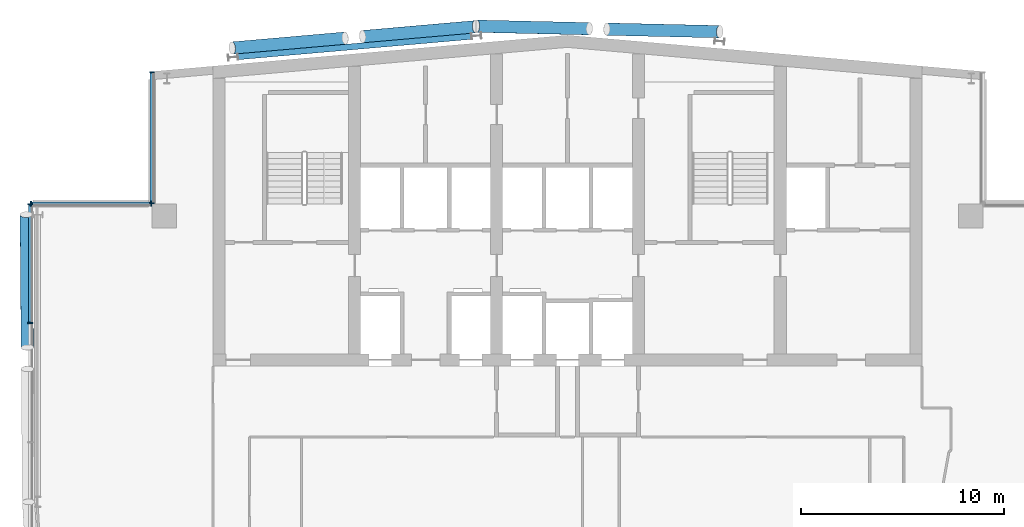
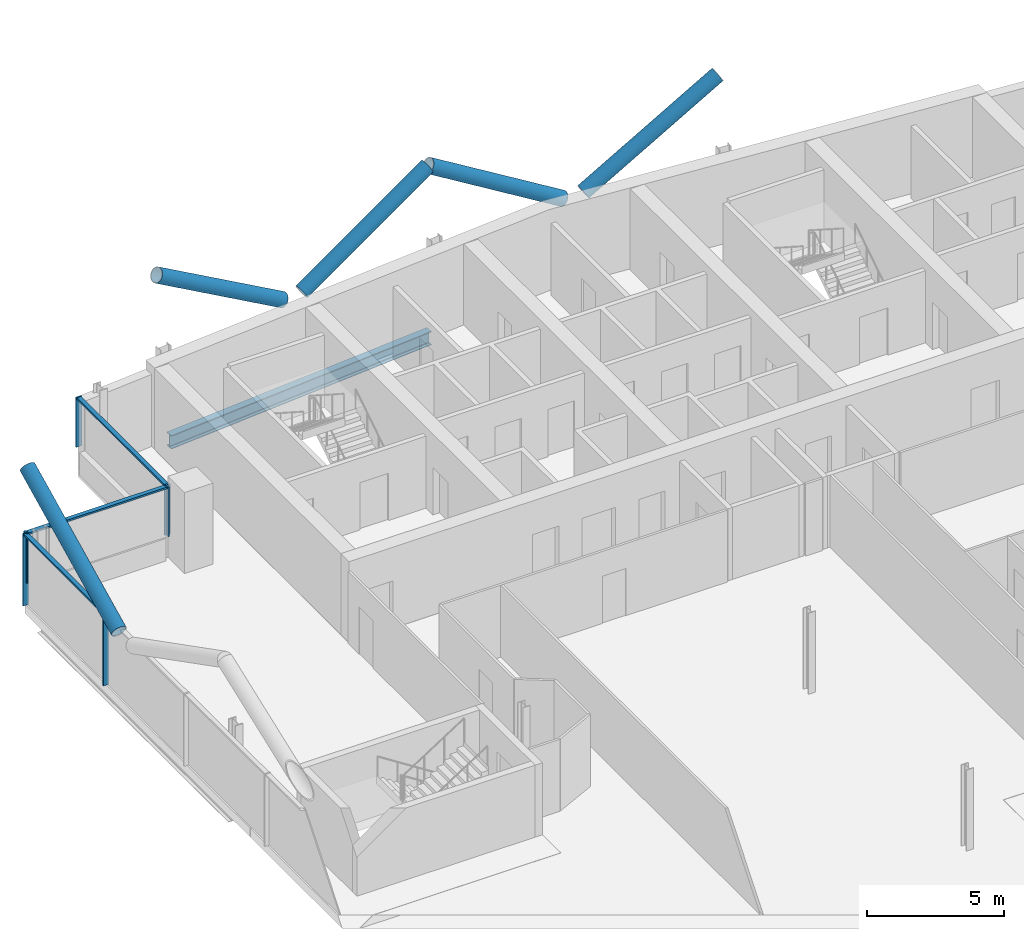
# One storey, part 10 of 26: 14 members, 1 beam, 3 elements without a shape of their own.
"""IFC4 building model written with IfcOpenShell, lengths in metres."""

from ifc_helpers import new_model, si_unit, direction, frame, origin, origin_2d, place, context, subcontext, project, spatial, rectangle, hollow_circle, i_section, extrude, material, material_profile, profile_set, type_object, element, aggregate, save


model = new_model("IFC4")

# Units and contexts
model_context = context("Model", 3, precision=1e-05, world=origin(), true_north=direction((0.0, 1.0)))
body_context = subcontext(model_context, "Body", "Model", "MODEL_VIEW")
ifc_project = project(units=[si_unit("LENGTHUNIT", "METRE"), si_unit("AREAUNIT", "SQUARE_METRE"), si_unit("VOLUMEUNIT", "CUBIC_METRE"), si_unit("PLANEANGLEUNIT", "RADIAN"), si_unit("MASSUNIT", "GRAM", prefix="KILO")], contexts=[model_context])

# Site, building, storey
site_placement = place(None, origin())
site = spatial("IfcSite", under=ifc_project, at=site_placement, CompositionType="ELEMENT")
building_placement = place(site_placement, origin())
building = spatial("IfcBuilding", under=site, at=building_placement, Name="Wharfspan Tower", CompositionType="ELEMENT")
storey_placement = place(building_placement, frame((0.0, 0.0, 235.899902)))
storey = spatial("IfcBuildingStorey", under=building, at=storey_placement, Name="L59", CompositionType="ELEMENT", Elevation=235.899902)

# Beam
ifc_material_1 = material(Name="Steel S355J2", Category="steel")
ifc_material_profile_1 = material_profile(ifc_material_1, i_section(OverallWidth=0.300049, OverallDepth=0.600098, WebThickness=0.015381, FlangeThickness=0.030029, FilletRadius=0.0271, at=origin_2d()))
ifc_profile_set_1 = profile_set([ifc_material_profile_1], Name="Steel S355J2")
beam_type = type_object("IfcBeamType", Name="Edge beam HEB 600", PredefinedType="SPANDREL", material=ifc_profile_set_1)
beam_placement = place(storey_placement, frame((35.754883, 50.263428, -0.699951), z_axis=(-0.996194, -0.087165, 0.0), x_axis=(0.087165, -0.996194, 0.0)))
element("IfcBeam", 1, at=beam_placement, inside=storey, type_object=beam_type, Name="Edge beam N1 L59 R.2 to R.1", PredefinedType="SPANDREL", context=body_context, shape_type="SweptSolid", body=[
    extrude(i_section(OverallWidth=0.300049, OverallDepth=0.600098, WebThickness=0.015381, FlangeThickness=0.030029, FilletRadius=0.0271, at=origin_2d()), origin(), (0.0, 0.0, 1.0), 11.553711),
])

# Curtain wall, members
ifc_material_2 = material(Name="Aluminium 6063-T6", Category="aluminium")
curtain_wall_type = type_object("IfcCurtainWallType", Name="CURTAIN WALL PROW AND END", PredefinedType="NOTDEFINED", material=ifc_material_2)
curtain_wall_1_placement = place(storey_placement, origin())
curtain_wall_1 = element("IfcCurtainWall", 2, at=curtain_wall_1_placement, inside=storey, type_object=curtain_wall_type, Name="Curtain wall NRW-V", PredefinedType="NOTDEFINED")
ifc_material_profile_2 = material_profile(ifc_material_2, rectangle(XDim=0.23999, YDim=0.060059, at=origin_2d()))
ifc_profile_set_2 = profile_set([ifc_material_profile_2], Name="Aluminium 6063-T6")
member_type_1 = type_object("IfcMemberType", Name="MULLION PROW AND END 60x240", PredefinedType="MULLION", material=ifc_profile_set_2)
member_1_placement = place(storey_placement, frame((20.0, 48.494873, 1.0), z_axis=(0.0, 0.0, 1.0), x_axis=(1.0, 0.0, 0.0)))
member_1 = element("IfcMember", 3, at=member_1_placement, type_object=member_type_1, Name="Curtain wall NRW-V mullion 1", PredefinedType="MULLION", context=body_context, shape_type="SweptSolid", body=[
    extrude(rectangle(XDim=0.23999, YDim=0.060059, at=origin_2d()), origin(), (0.0, 0.0, 1.0), 2.200195),
])
member_2_placement = place(storey_placement, frame((20.0, 42.030029, 1.0), z_axis=(0.0, 0.0, 1.0), x_axis=(1.0, 0.0, 0.0)))
member_2 = element("IfcMember", 4, at=member_2_placement, type_object=member_type_1, Name="Curtain wall NRW-V mullion 2", PredefinedType="MULLION", context=body_context, shape_type="SweptSolid", body=[
    extrude(rectangle(XDim=0.23999, YDim=0.060059, at=origin_2d()), origin(), (0.0, 0.0, 1.0), 2.200195),
])

curtain_wall_2_placement = place(storey_placement, origin())
curtain_wall_2 = element("IfcCurtainWall", 5, at=curtain_wall_2_placement, inside=storey, type_object=curtain_wall_type, Name="Curtain wall NRW-H", PredefinedType="NOTDEFINED")
member_3_placement = place(storey_placement, frame((19.969971, 42.0, 1.0), z_axis=(0.0, 0.0, 1.0), x_axis=(0.0, -1.0, 0.0)))
member_3 = element("IfcMember", 6, at=member_3_placement, type_object=member_type_1, Name="Curtain wall NRW-H mullion 1", PredefinedType="MULLION", context=body_context, shape_type="SweptSolid", body=[
    extrude(rectangle(XDim=0.23999, YDim=0.060059, at=origin_2d()), origin(), (0.0, 0.0, 1.0), 2.200195),
])
member_4_placement = place(storey_placement, frame((14.030029, 42.0, 1.0), z_axis=(0.0, 0.0, 1.0), x_axis=(0.0, -1.0, 0.0)))
member_4 = element("IfcMember", 7, at=member_4_placement, type_object=member_type_1, Name="Curtain wall NRW-H mullion 2", PredefinedType="MULLION", context=body_context, shape_type="SweptSolid", body=[
    extrude(rectangle(XDim=0.23999, YDim=0.060059, at=origin_2d()), origin(), (0.0, 0.0, 1.0), 2.200195),
])

curtain_wall_3_placement = place(storey_placement, origin())
curtain_wall_3 = element("IfcCurtainWall", 8, at=curtain_wall_3_placement, inside=storey, type_object=curtain_wall_type, Name="Curtain wall W", PredefinedType="NOTDEFINED")
member_5_placement = place(storey_placement, frame((14.0, 41.969971, 0.0), z_axis=(0.0, 0.0, 1.0), x_axis=(1.0, 0.0, 0.0)))
member_5 = element("IfcMember", 9, at=member_5_placement, type_object=member_type_1, Name="Curtain wall W mullion 1", PredefinedType="MULLION", context=body_context, shape_type="SweptSolid", body=[
    extrude(rectangle(XDim=0.23999, YDim=0.060059, at=origin_2d()), origin(), (0.0, 0.0, 1.0), 3.200195),
])
member_6_placement = place(storey_placement, frame((14.0, 36.120117, 0.0), z_axis=(0.0, 0.0, 1.0), x_axis=(1.0, 0.0, 0.0)))
member_6 = element("IfcMember", 10, at=member_6_placement, type_object=member_type_1, Name="Curtain wall W mullion 2", PredefinedType="MULLION", context=body_context, shape_type="SweptSolid", body=[
    extrude(rectangle(XDim=0.23999, YDim=0.060059, at=origin_2d()), origin(), (0.0, 0.0, 1.0), 3.200195),
])

# Members
ifc_material_3 = material(Name="Steel S460NH", Category="steel")
ifc_material_profile_3 = material_profile(ifc_material_3, hollow_circle(Radius=0.304932, WallThickness=0.024902, at=origin_2d()))
ifc_profile_set_3 = profile_set([ifc_material_profile_3], Name="Steel S460NH")
member_type_2 = type_object("IfcMemberType", Name="Mega brace CHS 610x25", PredefinedType="BRACE", material=ifc_profile_set_3)
member_7_placement = place(storey_placement, frame((13.844727, 34.910645, 3.169922), z_axis=(-0.007044, 0.891361, 0.45324), x_axis=(-0.999973, -0.007904, 3e-06)))
element("IfcMember", 11, at=member_7_placement, inside=storey, type_object=member_type_2, Name="Mega brace W3 L59 part 4", PredefinedType="BRACE", context=body_context, shape_type="SweptSolid", body=[
    extrude(hollow_circle(Radius=0.304932, WallThickness=0.024902, at=origin_2d()), origin(), (0.0, 0.0, 1.0), 7.347168),
])
member_8_placement = place(storey_placement, frame((30.393555, 50.248047, 3.159912), z_axis=(0.855103, 0.074812, 0.513032), x_axis=(-0.087157, 0.996193, 2e-06)))
element("IfcMember", 12, at=member_8_placement, inside=storey, type_object=member_type_2, Name="Mega brace N7 L59 part 2", PredefinedType="BRACE", context=body_context, shape_type="SweptSolid", body=[
    extrude(hollow_circle(Radius=0.304932, WallThickness=0.024902, at=origin_2d()), origin(), (0.0, 0.0, 1.0), 6.510498),
])
member_9_placement = place(storey_placement, frame((29.527588, 50.172119, 3.159912), z_axis=(-0.855093, -0.074814, 0.513048), x_axis=(0.087159, -0.996198, -1e-06)))
element("IfcMember", 13, at=member_9_placement, inside=storey, type_object=member_type_2, Name="Mega brace N7 L59 part 4", PredefinedType="BRACE", context=body_context, shape_type="SweptSolid", body=[
    extrude(hollow_circle(Radius=0.304932, WallThickness=0.024902, at=origin_2d()), origin(), (0.0, 0.0, 1.0), 6.510254),
])
for number, where, z_axis, x_axis, name in (
    (14, (42.442871, 50.616699, 3.159668), (0.857337, -0.019475, 0.514387), (0.022711, 0.999741, -2e-06), "Mega brace N8 L59 part 2"),
    (15, (41.577881, 50.636475, 3.159668), (-0.857337, 0.019475, 0.514387), (-0.022711, -0.999741, -2e-06), "Mega brace N8 L59 part 4"),
):
    element("IfcMember", number, at=place(storey_placement, frame(where, z_axis=z_axis, x_axis=x_axis)), inside=storey, type_object=member_type_2, Name=name, PredefinedType="BRACE", context=body_context, shape_type="SweptSolid", body=[
        extrude(hollow_circle(Radius=0.304932, WallThickness=0.024902, at=origin_2d()), origin(), (0.0, 0.0, 1.0), 6.493896),
    ])

# Member
ifc_material_profile_4 = material_profile(ifc_material_2, rectangle(XDim=0.179932, YDim=0.080078, at=origin_2d()))
ifc_profile_set_4 = profile_set([ifc_material_profile_4], Name="Aluminium 6063-T6")
member_type_3 = type_object("IfcMemberType", Name="TRANSOM PROW AND END 80x180", PredefinedType="USERDEFINED", material=ifc_profile_set_4)
member_10_placement = place(storey_placement, frame((20.0, 48.464844, 3.160156), z_axis=(0.0, -1.0, 0.0), x_axis=(1.0, 0.0, 0.0)))
member_10 = element("IfcMember", 16, at=member_10_placement, type_object=member_type_3, Name="Curtain wall NRW-V transom 1", ObjectType="TRANSOM", PredefinedType="USERDEFINED", context=body_context, shape_type="SweptSolid", body=[
    extrude(rectangle(XDim=0.179932, YDim=0.080078, at=origin_2d()), origin(), (0.0, 0.0, 1.0), 6.404785),
])

aggregate(curtain_wall_1, [member_1, member_2, member_10])

member_11_placement = place(storey_placement, frame((19.939941, 42.0, 3.160156), z_axis=(-1.0, 0.0, 0.0), x_axis=(0.0, -1.0, 0.0)))
member_11 = element("IfcMember", 17, at=member_11_placement, type_object=member_type_3, Name="Curtain wall NRW-H transom 1", ObjectType="TRANSOM", PredefinedType="USERDEFINED", context=body_context, shape_type="SweptSolid", body=[
    extrude(rectangle(XDim=0.179932, YDim=0.080078, at=origin_2d()), origin(), (0.0, 0.0, 1.0), 5.879883),
])

aggregate(curtain_wall_2, [member_3, member_4, member_11])

member_12_placement = place(storey_placement, frame((14.0, 41.939941, 3.160156), z_axis=(0.0, -1.0, 0.0), x_axis=(1.0, 0.0, 0.0)))
member_12 = element("IfcMember", 18, at=member_12_placement, type_object=member_type_3, Name="Curtain wall W transom 1", ObjectType="TRANSOM", PredefinedType="USERDEFINED", context=body_context, shape_type="SweptSolid", body=[
    extrude(rectangle(XDim=0.179932, YDim=0.080078, at=origin_2d()), origin(), (0.0, 0.0, 1.0), 5.790039),
])

aggregate(curtain_wall_3, [member_5, member_6, member_12])

save(model, "model.ifc")
